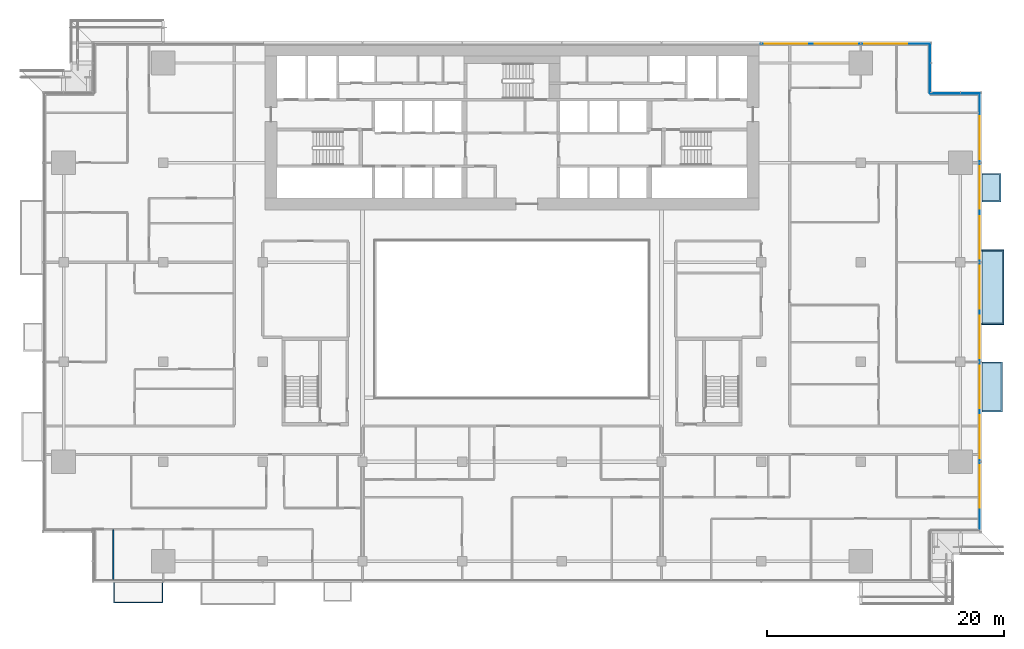
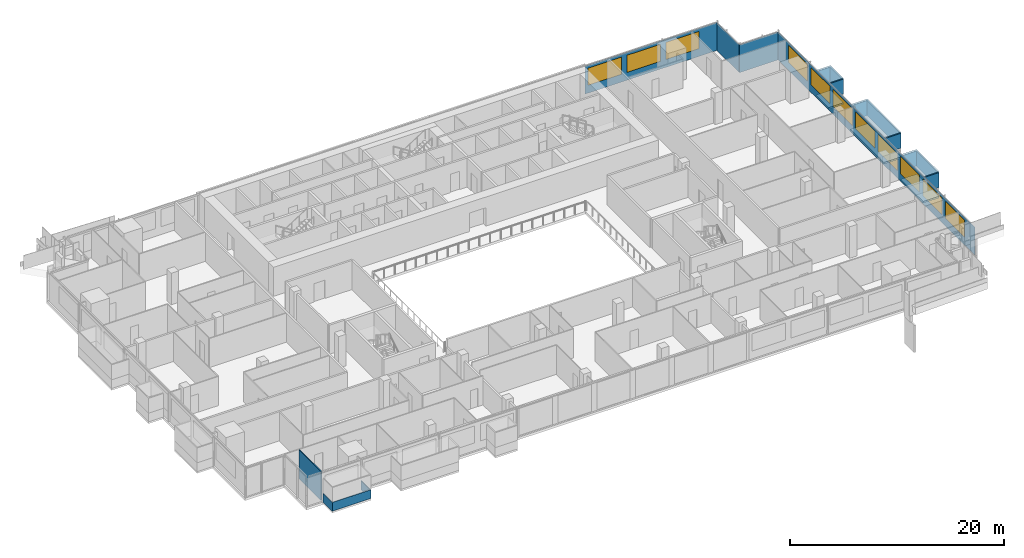
# One storey, part 16 of 29: 11 windows, 10 plates, 3 slabs, 2 walls, 11 openings, 4 elements without a shape of their own.
"""IFC4 building model written with IfcOpenShell, lengths in metres."""

from ifc_helpers import new_model, si_unit, direction, frame, frame_2d, origin, place, context, subcontext, project, spatial, polyline, rectangle, outline, extrude, material, layer, layer_set, type_object, element, fill, aggregate, save


model = new_model("IFC4")

# Units and contexts
model_context = context("Model", 3, precision=1e-05, world=origin(), true_north=direction((0.0, 1.0)))
body_context = subcontext(model_context, "Body", "Model", "MODEL_VIEW")
ifc_project = project(units=[si_unit("LENGTHUNIT", "METRE"), si_unit("AREAUNIT", "SQUARE_METRE"), si_unit("VOLUMEUNIT", "CUBIC_METRE"), si_unit("PLANEANGLEUNIT", "RADIAN"), si_unit("MASSUNIT", "GRAM", prefix="KILO")], contexts=[model_context])

# Site, building, storey
site_placement = place(None, origin())
site = spatial("IfcSite", under=ifc_project, at=site_placement, CompositionType="ELEMENT")
building_placement = place(site_placement, origin())
building = spatial("IfcBuilding", under=site, at=building_placement, Name="Saffron Gate Tower", CompositionType="ELEMENT")
storey_placement = place(building_placement, frame((0.0, 0.0, 106.050048828125)))
storey = spatial("IfcBuildingStorey", under=building, at=storey_placement, Name="L24", CompositionType="ELEMENT", Elevation=106.050048828125)

# Curtain wall, plate, openings, windows
ifc_material_1 = material(Name="Aluminium, bronze anodised", Category="aluminium")
curtain_wall_type_1 = type_object("IfcCurtainWallType", Name="CWS2 curtain wall side facades", PredefinedType="NOTDEFINED", material=ifc_material_1)
curtain_wall_1_placement = place(storey_placement, origin())
curtain_wall_1 = element("IfcCurtainWall", 1, at=curtain_wall_1_placement, inside=storey, type_object=curtain_wall_type_1, Name="CWS2 run 4", PredefinedType="NOTDEFINED")
ifc_material_2 = material(Name="Fritted bronze-tinted laminated glass", Category="glass")
ifc_layer_1 = layer(ifc_material_2, 0.028076171875)
ifc_layer_set_1 = layer_set([ifc_layer_1], Name="CWS2 fixed glass")
plate_type_1 = type_object("IfcPlateType", Name="CWS2 fixed glass", PredefinedType="CURTAIN_PANEL", material=ifc_layer_set_1)
plate_1_placement = place(storey_placement, frame((127.02587890625, 34.387939453125, 0.0), z_axis=(0.0, 0.0, 1.0), x_axis=(0.0, 1.0, 0.0)))
plate_1 = element("IfcPlate", 2, at=plate_1_placement, type_object=plate_type_1, Name="CWS2 glass panel", PredefinedType="CURTAIN_PANEL", context=body_context, shape_type="SweptSolid", body=[
    extrude(rectangle(XDim=36.823974609375, YDim=0.028076171875, at=frame_2d((18.412109375, 0.0))), origin(), (0.0, 0.0, 1.0), 3.199951171875),
])
opening_1_placement = place(plate_1_placement, frame((1.912109375, 0.0, 0.89990234375)))
opening_1 = element("IfcOpeningElement", 3, at=opening_1_placement, cuts=plate_1, Name="Opening W1", PredefinedType="OPENING", context=body_context, shape_type="SweptSolid", body=[
    extrude(rectangle(XDim=3.60009765625, YDim=1.949951171875, at=frame_2d((1.800048828125, 0.97509765625))), frame((0.0, 0.02392578125, 0.0), z_axis=(0.0, -1.0, 0.0), x_axis=(1.0, 0.0, 0.0)), (0.0, 0.0, 1.0), 0.048095703125),
])
opening_2_placement = place(plate_1_placement, frame((6.112060546875, 0.0, 0.89990234375)))
opening_2 = element("IfcOpeningElement", 4, at=opening_2_placement, cuts=plate_1, Name="Opening W1", PredefinedType="OPENING", context=body_context, shape_type="SweptSolid", body=[
    extrude(rectangle(XDim=3.60009765625, YDim=1.949951171875, at=frame_2d((1.800048828125, 0.97509765625))), frame((0.0, 0.02392578125, 0.0), z_axis=(0.0, -1.0, 0.0), x_axis=(1.0, 0.0, 0.0)), (0.0, 0.0, 1.0), 0.048095703125),
])
opening_3_placement = place(plate_1_placement, frame((10.31201171875, 0.0, 0.89990234375)))
opening_3 = element("IfcOpeningElement", 5, at=opening_3_placement, cuts=plate_1, Name="Opening W1", PredefinedType="OPENING", context=body_context, shape_type="SweptSolid", body=[
    extrude(rectangle(XDim=3.60009765625, YDim=1.949951171875, at=frame_2d((1.800048828125, 0.97509765625))), frame((0.0, 0.02392578125, 0.0), z_axis=(0.0, -1.0, 0.0), x_axis=(1.0, 0.0, 0.0)), (0.0, 0.0, 1.0), 0.048095703125),
])
opening_4_placement = place(plate_1_placement, frame((14.511962890625, 0.0, 0.89990234375)))
opening_4 = element("IfcOpeningElement", 6, at=opening_4_placement, cuts=plate_1, Name="Opening W1", PredefinedType="OPENING", context=body_context, shape_type="SweptSolid", body=[
    extrude(rectangle(XDim=3.60009765625, YDim=1.949951171875, at=frame_2d((1.800048828125, 0.97509765625))), frame((0.0, 0.02392578125, 0.0), z_axis=(0.0, -1.0, 0.0), x_axis=(1.0, 0.0, 0.0)), (0.0, 0.0, 1.0), 0.048095703125),
])
opening_5_placement = place(plate_1_placement, frame((18.7119140625, 0.0, 0.89990234375)))
opening_5 = element("IfcOpeningElement", 7, at=opening_5_placement, cuts=plate_1, Name="Opening W1", PredefinedType="OPENING", context=body_context, shape_type="SweptSolid", body=[
    extrude(rectangle(XDim=3.60009765625, YDim=1.949951171875, at=frame_2d((1.800048828125, 0.97509765625))), frame((0.0, 0.02392578125, 0.0), z_axis=(0.0, -1.0, 0.0), x_axis=(1.0, 0.0, 0.0)), (0.0, 0.0, 1.0), 0.048095703125),
])
opening_6_placement = place(plate_1_placement, frame((22.912109375, 0.0, 0.89990234375)))
opening_6 = element("IfcOpeningElement", 8, at=opening_6_placement, cuts=plate_1, Name="Opening W1", PredefinedType="OPENING", context=body_context, shape_type="SweptSolid", body=[
    extrude(rectangle(XDim=3.60009765625, YDim=1.949951171875, at=frame_2d((1.800048828125, 0.97509765625))), frame((0.0, 0.02392578125, 0.0), z_axis=(0.0, -1.0, 0.0), x_axis=(1.0, 0.0, 0.0)), (0.0, 0.0, 1.0), 0.048095703125),
])
opening_7_placement = place(plate_1_placement, frame((27.112060546875, 0.0, 0.89990234375)))
opening_7 = element("IfcOpeningElement", 9, at=opening_7_placement, cuts=plate_1, Name="Opening W1", PredefinedType="OPENING", context=body_context, shape_type="SweptSolid", body=[
    extrude(rectangle(XDim=3.60009765625, YDim=1.949951171875, at=frame_2d((1.800048828125, 0.97509765625))), frame((0.0, 0.02392578125, 0.0), z_axis=(0.0, -1.0, 0.0), x_axis=(1.0, 0.0, 0.0)), (0.0, 0.0, 1.0), 0.048095703125),
])
opening_8_placement = place(plate_1_placement, frame((31.31201171875, 0.0, 0.89990234375)))
opening_8 = element("IfcOpeningElement", 10, at=opening_8_placement, cuts=plate_1, Name="Opening W1", PredefinedType="OPENING", context=body_context, shape_type="SweptSolid", body=[
    extrude(rectangle(XDim=3.60009765625, YDim=1.949951171875, at=frame_2d((1.800048828125, 0.97509765625))), frame((0.0, 0.02392578125, 0.0), z_axis=(0.0, -1.0, 0.0), x_axis=(1.0, 0.0, 0.0)), (0.0, 0.0, 1.0), 0.048095703125),
])
ifc_material_3 = material(Name="Fritted bronze-tinted laminated glass in bronze frame", Category="glass")
ifc_layer_2 = layer(ifc_material_3, 0.06005859375)
ifc_layer_set_2 = layer_set([ifc_layer_2], Name="W1 operable panel 3600x1950")
window_type = type_object("IfcWindowType", Name="W1 operable panel 3600x1950", PartitioningType="DOUBLE_PANEL_HORIZONTAL", PredefinedType="WINDOW", material=ifc_layer_set_2)
window_1_placement = place(opening_1_placement, origin())
window_1 = element("IfcWindow", 11, at=window_1_placement, type_object=window_type, Name="W1 operable panel", OverallHeight=1.949951171875, OverallWidth=3.60009765625, PartitioningType="SINGLE_PANEL", PredefinedType="WINDOW", context=body_context, shape_type="SweptSolid", body=[
    extrude(rectangle(XDim=3.60009765625, YDim=1.949951171875, at=frame_2d((1.800048828125, 0.97509765625))), frame((0.0, 0.013671875, 0.0), z_axis=(0.0, -1.0, 0.0), x_axis=(1.0, 0.0, 0.0)), (0.0, 0.0, 1.0), 0.027587890625),
])
fill(opening_1, window_1)
window_2_placement = place(opening_2_placement, origin())
window_2 = element("IfcWindow", 12, at=window_2_placement, type_object=window_type, Name="W1 operable panel", OverallHeight=1.949951171875, OverallWidth=3.60009765625, PartitioningType="SINGLE_PANEL", PredefinedType="WINDOW", context=body_context, shape_type="SweptSolid", body=[
    extrude(rectangle(XDim=3.60009765625, YDim=1.949951171875, at=frame_2d((1.800048828125, 0.97509765625))), frame((0.0, 0.013671875, 0.0), z_axis=(0.0, -1.0, 0.0), x_axis=(1.0, 0.0, 0.0)), (0.0, 0.0, 1.0), 0.027587890625),
])
fill(opening_2, window_2)
window_3_placement = place(opening_3_placement, origin())
window_3 = element("IfcWindow", 13, at=window_3_placement, type_object=window_type, Name="W1 operable panel", OverallHeight=1.949951171875, OverallWidth=3.60009765625, PartitioningType="SINGLE_PANEL", PredefinedType="WINDOW", context=body_context, shape_type="SweptSolid", body=[
    extrude(rectangle(XDim=3.60009765625, YDim=1.949951171875, at=frame_2d((1.800048828125, 0.97509765625))), frame((0.0, 0.013671875, 0.0), z_axis=(0.0, -1.0, 0.0), x_axis=(1.0, 0.0, 0.0)), (0.0, 0.0, 1.0), 0.027587890625),
])
fill(opening_3, window_3)
window_4_placement = place(opening_4_placement, origin())
window_4 = element("IfcWindow", 14, at=window_4_placement, type_object=window_type, Name="W1 operable panel", OverallHeight=1.949951171875, OverallWidth=3.60009765625, PartitioningType="SINGLE_PANEL", PredefinedType="WINDOW", context=body_context, shape_type="SweptSolid", body=[
    extrude(rectangle(XDim=3.60009765625, YDim=1.949951171875, at=frame_2d((1.800048828125, 0.97509765625))), frame((0.0, 0.013671875, 0.0), z_axis=(0.0, -1.0, 0.0), x_axis=(1.0, 0.0, 0.0)), (0.0, 0.0, 1.0), 0.027587890625),
])
fill(opening_4, window_4)
window_5_placement = place(opening_5_placement, origin())
window_5 = element("IfcWindow", 15, at=window_5_placement, type_object=window_type, Name="W1 operable panel", OverallHeight=1.949951171875, OverallWidth=3.60009765625, PartitioningType="SINGLE_PANEL", PredefinedType="WINDOW", context=body_context, shape_type="SweptSolid", body=[
    extrude(rectangle(XDim=3.60009765625, YDim=1.949951171875, at=frame_2d((1.800048828125, 0.97509765625))), frame((0.0, 0.013671875, 0.0), z_axis=(0.0, -1.0, 0.0), x_axis=(1.0, 0.0, 0.0)), (0.0, 0.0, 1.0), 0.027587890625),
])
fill(opening_5, window_5)
window_6_placement = place(opening_6_placement, origin())
window_6 = element("IfcWindow", 16, at=window_6_placement, type_object=window_type, Name="W1 operable panel", OverallHeight=1.949951171875, OverallWidth=3.60009765625, PartitioningType="SINGLE_PANEL", PredefinedType="WINDOW", context=body_context, shape_type="SweptSolid", body=[
    extrude(rectangle(XDim=3.60009765625, YDim=1.949951171875, at=frame_2d((1.800048828125, 0.97509765625))), frame((0.0, 0.013671875, 0.0), z_axis=(0.0, -1.0, 0.0), x_axis=(1.0, 0.0, 0.0)), (0.0, 0.0, 1.0), 0.027587890625),
])
fill(opening_6, window_6)
window_7_placement = place(opening_7_placement, origin())
window_7 = element("IfcWindow", 17, at=window_7_placement, type_object=window_type, Name="W1 operable panel", OverallHeight=1.949951171875, OverallWidth=3.60009765625, PartitioningType="SINGLE_PANEL", PredefinedType="WINDOW", context=body_context, shape_type="SweptSolid", body=[
    extrude(rectangle(XDim=3.60009765625, YDim=1.949951171875, at=frame_2d((1.800048828125, 0.97509765625))), frame((0.0, 0.013671875, 0.0), z_axis=(0.0, -1.0, 0.0), x_axis=(1.0, 0.0, 0.0)), (0.0, 0.0, 1.0), 0.027587890625),
])
fill(opening_7, window_7)
window_8_placement = place(opening_8_placement, origin())
window_8 = element("IfcWindow", 18, at=window_8_placement, type_object=window_type, Name="W1 operable panel", OverallHeight=1.949951171875, OverallWidth=3.60009765625, PartitioningType="SINGLE_PANEL", PredefinedType="WINDOW", context=body_context, shape_type="SweptSolid", body=[
    extrude(rectangle(XDim=3.60009765625, YDim=1.949951171875, at=frame_2d((1.800048828125, 0.97509765625))), frame((0.0, 0.013671875, 0.0), z_axis=(0.0, -1.0, 0.0), x_axis=(1.0, 0.0, 0.0)), (0.0, 0.0, 1.0), 0.027587890625),
])
fill(opening_8, window_8)
aggregate(curtain_wall_1, [plate_1, window_1, window_2, window_3, window_4, window_5, window_6, window_7, window_8])

curtain_wall_type_2 = type_object("IfcCurtainWallType", Name="CWS3 curtain wall rear facade", PredefinedType="NOTDEFINED", material=ifc_material_1)
curtain_wall_2_placement = place(storey_placement, origin())
curtain_wall_2 = element("IfcCurtainWall", 19, at=curtain_wall_2_placement, inside=storey, type_object=curtain_wall_type_2, Name="CWS3 run 7", PredefinedType="NOTDEFINED")
ifc_material_4 = material(Name="Fritted grey-tinted laminated glass", Category="glass")
ifc_layer_3 = layer(ifc_material_4, 0.028076171875)
ifc_layer_set_3 = layer_set([ifc_layer_3], Name="CWS3 fixed glass")
plate_type_2 = type_object("IfcPlateType", Name="CWS3 fixed glass", PredefinedType="CURTAIN_PANEL", material=ifc_layer_set_3)
plate_2_placement = place(storey_placement, frame((122.81201171875, 75.426025390625, 0.0), z_axis=(0.0, 0.0, 1.0), x_axis=(-1.0, 0.0, 0.0)))
plate_2 = element("IfcPlate", 20, at=plate_2_placement, type_object=plate_type_2, Name="CWS3 glass panel", PredefinedType="CURTAIN_PANEL", context=body_context, shape_type="SweptSolid", body=[
    extrude(rectangle(XDim=14.2470703125, YDim=0.028076171875, at=frame_2d((7.12353515625, 0.0))), origin(), (0.0, 0.0, 1.0), 3.199951171875),
])
opening_9_placement = place(plate_2_placement, frame((1.912109375, 0.0, 0.89990234375)))
opening_9 = element("IfcOpeningElement", 21, at=opening_9_placement, cuts=plate_2, Name="Opening W1", PredefinedType="OPENING", context=body_context, shape_type="SweptSolid", body=[
    extrude(rectangle(XDim=3.60009765625, YDim=1.949951171875, at=frame_2d((1.800048828125, 0.97509765625))), frame((0.0, 0.02392578125, 0.0), z_axis=(0.0, -1.0, 0.0), x_axis=(1.0, 0.0, 0.0)), (0.0, 0.0, 1.0), 0.048095703125),
])
opening_10_placement = place(plate_2_placement, frame((6.112060546875, 0.0, 0.89990234375)))
opening_10 = element("IfcOpeningElement", 22, at=opening_10_placement, cuts=plate_2, Name="Opening W1", PredefinedType="OPENING", context=body_context, shape_type="SweptSolid", body=[
    extrude(rectangle(XDim=3.60009765625, YDim=1.949951171875, at=frame_2d((1.800048828125, 0.97509765625))), frame((0.0, 0.02392578125, 0.0), z_axis=(0.0, -1.0, 0.0), x_axis=(1.0, 0.0, 0.0)), (0.0, 0.0, 1.0), 0.048095703125),
])
opening_11_placement = place(plate_2_placement, frame((10.31201171875, 0.0, 0.89990234375)))
opening_11 = element("IfcOpeningElement", 23, at=opening_11_placement, cuts=plate_2, Name="Opening W1", PredefinedType="OPENING", context=body_context, shape_type="SweptSolid", body=[
    extrude(rectangle(XDim=3.60009765625, YDim=1.949951171875, at=frame_2d((1.800048828125, 0.97509765625))), frame((0.0, 0.02392578125, 0.0), z_axis=(0.0, -1.0, 0.0), x_axis=(1.0, 0.0, 0.0)), (0.0, 0.0, 1.0), 0.048095703125),
])
window_9_placement = place(opening_9_placement, origin())
window_9 = element("IfcWindow", 24, at=window_9_placement, type_object=window_type, Name="W1 operable panel", OverallHeight=1.949951171875, OverallWidth=3.60009765625, PartitioningType="SINGLE_PANEL", PredefinedType="WINDOW", context=body_context, shape_type="SweptSolid", body=[
    extrude(rectangle(XDim=3.60009765625, YDim=1.949951171875, at=frame_2d((1.800048828125, 0.97509765625))), frame((0.0, 0.013671875, 0.0), z_axis=(0.0, -1.0, 0.0), x_axis=(1.0, 0.0, 0.0)), (0.0, 0.0, 1.0), 0.027587890625),
])
fill(opening_9, window_9)
window_10_placement = place(opening_10_placement, origin())
window_10 = element("IfcWindow", 25, at=window_10_placement, type_object=window_type, Name="W1 operable panel", OverallHeight=1.949951171875, OverallWidth=3.60009765625, PartitioningType="SINGLE_PANEL", PredefinedType="WINDOW", context=body_context, shape_type="SweptSolid", body=[
    extrude(rectangle(XDim=3.60009765625, YDim=1.949951171875, at=frame_2d((1.800048828125, 0.97509765625))), frame((0.0, 0.013671875, 0.0), z_axis=(0.0, -1.0, 0.0), x_axis=(1.0, 0.0, 0.0)), (0.0, 0.0, 1.0), 0.027587890625),
])
fill(opening_10, window_10)
window_11_placement = place(opening_11_placement, origin())
window_11 = element("IfcWindow", 26, at=window_11_placement, type_object=window_type, Name="W1 operable panel", OverallHeight=1.949951171875, OverallWidth=3.60009765625, PartitioningType="SINGLE_PANEL", PredefinedType="WINDOW", context=body_context, shape_type="SweptSolid", body=[
    extrude(rectangle(XDim=3.60009765625, YDim=1.949951171875, at=frame_2d((1.800048828125, 0.97509765625))), frame((0.0, 0.013671875, 0.0), z_axis=(0.0, -1.0, 0.0), x_axis=(1.0, 0.0, 0.0)), (0.0, 0.0, 1.0), 0.027587890625),
])
fill(opening_11, window_11)
aggregate(curtain_wall_2, [plate_2, window_9, window_10, window_11])

# Curtain wall, plate
curtain_wall_type_3 = type_object("IfcCurtainWallType", Name="CWS4 curtain wall corner returns", PredefinedType="NOTDEFINED", material=ifc_material_1)
curtain_wall_3_placement = place(storey_placement, origin())
curtain_wall_3 = element("IfcCurtainWall", 27, at=curtain_wall_3_placement, inside=storey, type_object=curtain_wall_type_3, Name="CWS4 run 5", PredefinedType="NOTDEFINED")
ifc_layer_4 = layer(ifc_material_2, 0.028076171875)
ifc_layer_set_4 = layer_set([ifc_layer_4], Name="CWS4 fixed glass")
plate_type_3 = type_object("IfcPlateType", Name="CWS4 fixed glass", PredefinedType="CURTAIN_PANEL", material=ifc_layer_set_4)
plate_3_placement = place(storey_placement, frame((127.011962890625, 71.22607421875, 0.0), z_axis=(0.0, 0.0, 1.0), x_axis=(-1.0, 0.0, 0.0)))
plate_3 = element("IfcPlate", 28, at=plate_3_placement, type_object=plate_type_3, Name="CWS4 glass panel", PredefinedType="CURTAIN_PANEL", context=body_context, shape_type="SweptSolid", body=[
    extrude(rectangle(XDim=4.171875, YDim=0.028076171875, at=frame_2d((2.0859375, 0.0))), origin(), (0.0, 0.0, 1.0), 3.199951171875),
])
aggregate(curtain_wall_3, [plate_3])

curtain_wall_4_placement = place(storey_placement, origin())
curtain_wall_4 = element("IfcCurtainWall", 29, at=curtain_wall_4_placement, inside=storey, type_object=curtain_wall_type_3, Name="CWS4 run 6", PredefinedType="NOTDEFINED")
plate_4_placement = place(storey_placement, frame((122.825927734375, 71.239990234375, 0.0), z_axis=(0.0, 0.0, 1.0), x_axis=(0.0, 1.0, 0.0)))
plate_4 = element("IfcPlate", 30, at=plate_4_placement, type_object=plate_type_3, Name="CWS4 glass panel", PredefinedType="CURTAIN_PANEL", context=body_context, shape_type="SweptSolid", body=[
    extrude(rectangle(XDim=4.172119140625, YDim=0.028076171875, at=frame_2d((2.0859375, 0.0))), origin(), (0.0, 0.0, 1.0), 3.199951171875),
])
aggregate(curtain_wall_4, [plate_4])

# Slabs
ifc_material_5 = material(Name="Timber deck on bronze frame", Category="wood")
ifc_layer_5 = layer(ifc_material_5, 0.199951171875)
ifc_layer_set_5 = layer_set([ifc_layer_5], Name="WB1 box floor")
slab_type = type_object("IfcSlabType", Name="WB1 box floor", PredefinedType="FLOOR", material=ifc_layer_set_5)
slab_1_placement = place(storey_placement, frame((0.0, 0.0, -0.199951171875)))
element("IfcSlab", 31, at=slab_1_placement, inside=storey, type_object=slab_type, Name="WINDOW BOX floor", PredefinedType="FLOOR", context=body_context, shape_type="SweptSolid", body=[
    extrude(outline(polyline([(127.199951171875, 44.39990234375), (127.199951171875, 48.60009765625), (128.93310546875, 48.60009765625), (128.93310546875, 44.39990234375), (127.199951171875, 44.39990234375)])), origin(), (0.0, 0.0, 1.0), 0.199951171875),
])
slab_2_placement = place(storey_placement, frame((0.0, 0.0, -0.199951171875)))
element("IfcSlab", 32, at=slab_2_placement, inside=storey, type_object=slab_type, Name="WINDOW BOX floor", PredefinedType="FLOOR", context=body_context, shape_type="SweptSolid", body=[
    extrude(outline(polyline([(127.199951171875, 51.75), (127.199951171875, 58.050048828125), (129.06689453125, 58.050048828125), (129.06689453125, 51.75), (127.199951171875, 51.75)])), origin(), (0.0, 0.0, 1.0), 0.199951171875),
])
slab_3_placement = place(storey_placement, frame((0.0, 0.0, -0.199951171875)))
element("IfcSlab", 33, at=slab_3_placement, inside=storey, type_object=slab_type, Name="WINDOW BOX floor", PredefinedType="FLOOR", context=body_context, shape_type="SweptSolid", body=[
    extrude(outline(polyline([(127.199951171875, 62.10009765625), (127.199951171875, 64.5), (128.800048828125, 64.5), (128.800048828125, 62.10009765625), (127.199951171875, 62.10009765625)])), origin(), (0.0, 0.0, 1.0), 0.199951171875),
])

# Plates
ifc_layer_6 = layer(ifc_material_1, 0.1201171875)
ifc_layer_set_6 = layer_set([ifc_layer_6], Name="WB2 box roof")
plate_type_4 = type_object("IfcPlateType", Name="WB2 box roof", PredefinedType="SHEET", material=ifc_layer_set_6)
plate_5_placement = place(storey_placement, frame((0.0, 0.0, 2.699951171875)))
element("IfcPlate", 34, at=plate_5_placement, inside=storey, type_object=plate_type_4, Name="WINDOW BOX roof", PredefinedType="SHEET", context=body_context, shape_type="SweptSolid", body=[
    extrude(outline(polyline([(127.199951171875, 44.39990234375), (127.199951171875, 48.60009765625), (128.93310546875, 48.60009765625), (128.93310546875, 44.39990234375), (127.199951171875, 44.39990234375)])), origin(), (0.0, 0.0, 1.0), 0.1201171875),
])
plate_6_placement = place(storey_placement, frame((0.0, 0.0, 2.699951171875)))
element("IfcPlate", 35, at=plate_6_placement, inside=storey, type_object=plate_type_4, Name="WINDOW BOX roof", PredefinedType="SHEET", context=body_context, shape_type="SweptSolid", body=[
    extrude(outline(polyline([(127.199951171875, 51.75), (127.199951171875, 58.050048828125), (129.06689453125, 58.050048828125), (129.06689453125, 51.75), (127.199951171875, 51.75)])), origin(), (0.0, 0.0, 1.0), 0.1201171875),
])
plate_7_placement = place(storey_placement, frame((0.0, 0.0, 2.699951171875)))
element("IfcPlate", 36, at=plate_7_placement, inside=storey, type_object=plate_type_4, Name="WINDOW BOX roof", PredefinedType="SHEET", context=body_context, shape_type="SweptSolid", body=[
    extrude(outline(polyline([(127.199951171875, 62.10009765625), (127.199951171875, 64.5), (128.800048828125, 64.5), (128.800048828125, 62.10009765625), (127.199951171875, 62.10009765625)])), origin(), (0.0, 0.0, 1.0), 0.1201171875),
])
ifc_material_6 = material(Name="Clear low-iron laminated glass", Category="glass")
ifc_layer_7 = layer(ifc_material_6, 0.10009765625)
ifc_layer_set_7 = layer_set([ifc_layer_7], Name="WB6 box glazing")
plate_type_5 = type_object("IfcPlateType", Name="WB6 box glazing", PredefinedType="SHEET", material=ifc_layer_set_7)
plate_8_placement = place(storey_placement, frame((0.0, 0.0, 1.0)))
element("IfcPlate", 37, at=plate_8_placement, inside=storey, type_object=plate_type_5, Name="WINDOW BOX glazing", PredefinedType="SHEET", context=body_context, shape_type="SweptSolid", body=[
    extrude(outline(polyline([(127.199951171875, 44.39990234375), (127.199951171875, 44.5), (128.8330078125, 44.5), (128.8330078125, 48.5), (127.199951171875, 48.5), (127.199951171875, 48.60009765625), (128.93310546875, 48.60009765625), (128.93310546875, 44.39990234375), (127.199951171875, 44.39990234375)])), origin(), (0.0, 0.0, 1.0), 1.699951171875),
])
plate_9_placement = place(storey_placement, frame((0.0, 0.0, 1.0)))
element("IfcPlate", 38, at=plate_9_placement, inside=storey, type_object=plate_type_5, Name="WINDOW BOX glazing", PredefinedType="SHEET", context=body_context, shape_type="SweptSolid", body=[
    extrude(outline(polyline([(127.199951171875, 51.75), (127.199951171875, 51.85009765625), (128.967041015625, 51.85009765625), (128.967041015625, 57.949951171875), (127.199951171875, 57.949951171875), (127.199951171875, 58.050048828125), (129.06689453125, 58.050048828125), (129.06689453125, 51.75), (127.199951171875, 51.75)])), origin(), (0.0, 0.0, 1.0), 1.699951171875),
])
plate_10_placement = place(storey_placement, frame((0.0, 0.0, 1.0)))
element("IfcPlate", 39, at=plate_10_placement, inside=storey, type_object=plate_type_5, Name="WINDOW BOX glazing", PredefinedType="SHEET", context=body_context, shape_type="SweptSolid", body=[
    extrude(outline(polyline([(127.199951171875, 62.10009765625), (127.199951171875, 62.199951171875), (128.699951171875, 62.199951171875), (128.699951171875, 64.39990234375), (127.199951171875, 64.39990234375), (127.199951171875, 64.5), (128.800048828125, 64.5), (128.800048828125, 62.10009765625), (127.199951171875, 62.10009765625)])), origin(), (0.0, 0.0, 1.0), 1.699951171875),
])

# Walls
ifc_material_7 = material(Name="Plasterboard on steel studs", Category="steel")
ifc_layer_8 = layer(ifc_material_7, 0.10009765625)
ifc_layer_set_8 = layer_set([ifc_layer_8], Name="PW1 Partition 100")
wall_type_1 = type_object("IfcWallType", Name="PW1 Partition 100", PredefinedType="PARTITIONING", material=ifc_layer_set_8)
wall_1_placement = place(storey_placement, frame((54.0, 34.449951171875, 0.0), z_axis=(0.0, 0.0, 1.0), x_axis=(0.0, -1.0, 0.0)))
element("IfcWall", 40, at=wall_1_placement, inside=storey, type_object=wall_type_1, Name="Partition B2-50", PredefinedType="PARTITIONING", context=body_context, shape_type="SweptSolid", body=[
    extrude(rectangle(XDim=4.169921875, YDim=0.10009765625, at=frame_2d((2.0849609375, 0.0))), origin(), (0.0, 0.0, 1.0), 3.320068359375),
])
ifc_material_8 = material(Name="Rendered insulated panel, white")
ifc_layer_9 = layer(ifc_material_8, 0.10009765625)
ifc_layer_set_9 = layer_set([ifc_layer_9], Name="WB3 box parapet white")
wall_type_2 = type_object("IfcWallType", Name="WB3 box parapet white", PredefinedType="SOLIDWALL", material=ifc_layer_set_9)
wall_2_placement = place(storey_placement, origin())
element("IfcWall", 41, at=wall_2_placement, inside=storey, type_object=wall_type_2, Name="WINDOW BOX parapet", PredefinedType="SOLIDWALL", context=body_context, shape_type="SweptSolid", body=[
    extrude(outline(polyline([(54.0, 30.0), (54.10009765625, 30.0), (54.10009765625, 28.366943359375), (58.10009765625, 28.366943359375), (58.10009765625, 30.0), (58.199951171875, 30.0), (58.199951171875, 28.26708984375), (54.0, 28.26708984375), (54.0, 30.0)])), origin(), (0.0, 0.0, 1.0), 1.0),
])

save(model, "model.ifc")
